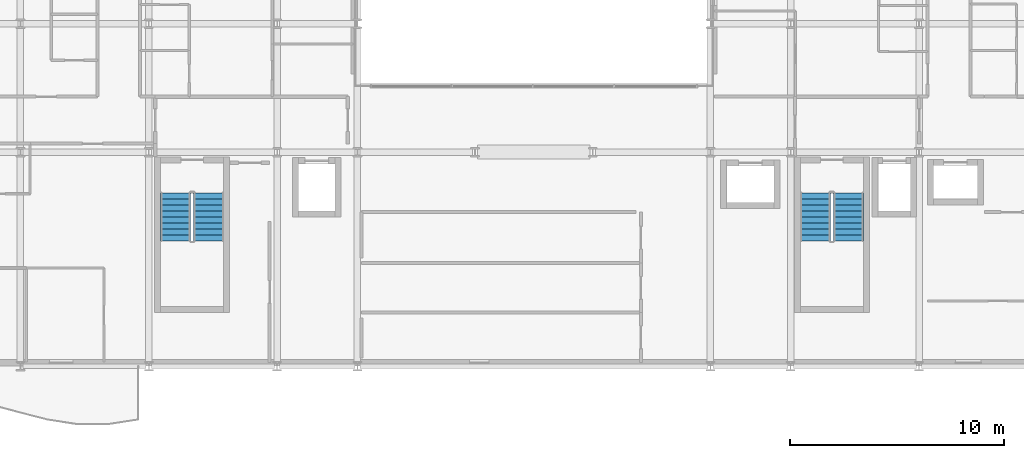
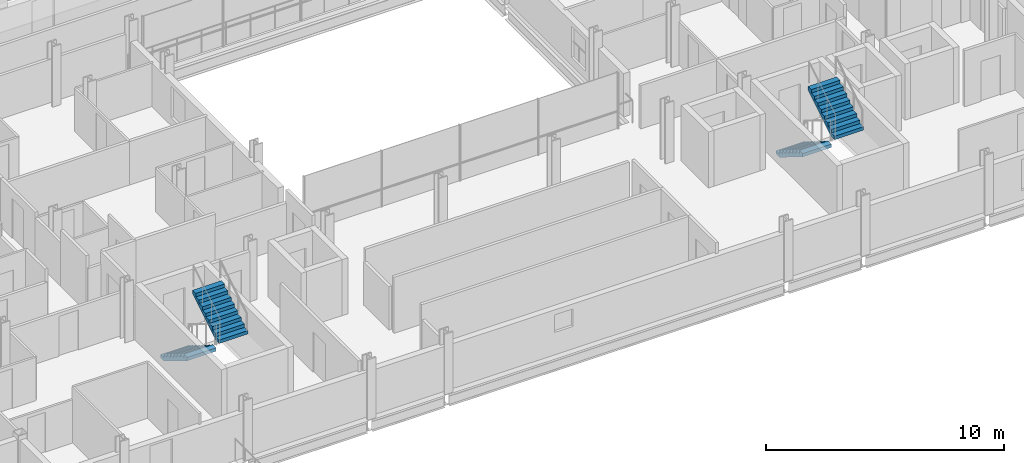
# One storey, part 37 of 41: 4 stair flights, 2 elements without a shape of their own.
"""IFC4 building model written with IfcOpenShell, lengths in metres."""

from ifc_helpers import new_model, si_unit, direction, frame, origin, place, context, subcontext, project, spatial, polyline, outline, extrude, material, layer, layer_set, type_object, element, aggregate, save


model = new_model("IFC4")

# Units and contexts
model_context = context("Model", 3, precision=1e-05, world=origin(), true_north=direction((0.0, 1.0)))
body_context = subcontext(model_context, "Body", "Model", "MODEL_VIEW")
ifc_project = project(units=[si_unit("LENGTHUNIT", "METRE"), si_unit("AREAUNIT", "SQUARE_METRE"), si_unit("VOLUMEUNIT", "CUBIC_METRE"), si_unit("PLANEANGLEUNIT", "RADIAN"), si_unit("MASSUNIT", "GRAM", prefix="KILO")], contexts=[model_context])

# Site, building, storey
site_placement = place(None, origin())
site = spatial("IfcSite", under=ifc_project, at=site_placement, CompositionType="ELEMENT")
building_placement = place(site_placement, origin())
building = spatial("IfcBuilding", under=site, at=building_placement, Name="Brevholm Reach", CompositionType="ELEMENT")
storey_placement = place(building_placement, frame((0.0, 0.0, 86.89990234375)))
storey = spatial("IfcBuildingStorey", under=building, at=storey_placement, Name="L25", CompositionType="ELEMENT", Elevation=86.89990234375)

# Stair, stair flights
ifc_material_1 = material(Name="Precast Concrete C40/50", Category="concrete")
stair_type = type_object("IfcStairType", Name="STR-ESC-1400", PredefinedType="DOUBLE_RETURN_STAIR", material=ifc_material_1)
stair_1_placement = place(storey_placement, origin())
stair_1 = element("IfcStair", 1, at=stair_1_placement, inside=storey, type_object=stair_type, Name="L25 ST-1", PredefinedType="DOUBLE_RETURN_STAIR")
ifc_material_2 = material(Name="Precast Concrete C40/50", Category="concrete")
ifc_layer = layer(ifc_material_2, 0.18505859375)
ifc_layer_set = layer_set([ifc_layer], Name="Precast Concrete C40/50")
stair_flight_type = type_object("IfcStairFlightType", Name="STF-PRC-185", PredefinedType="STRAIGHT", material=ifc_layer_set)
stair_flight_1_placement = place(storey_placement, frame((13.25, 8.10009765625, 0.0), z_axis=(0.0, 0.0, 1.0), x_axis=(0.0, -1.0, 0.0)))
stair_flight_1 = element("IfcStairFlight", 2, at=stair_flight_1_placement, type_object=stair_flight_type, Name="ST-1 flight 1", NumberOfRisers=9, NumberOfTreads=8, PredefinedType="STRAIGHT", RiserHeight=0.172222222, TreadLength=0.28, context=body_context, shape_type="SweptSolid", body=[
    extrude(outline(polyline([(0.0, 0.0), (0.0, 0.172119140625), (0.280029296875, 0.172119140625), (0.280029296875, 0.344482421875), (0.56005859375, 0.344482421875), (0.56005859375, 0.5166015625), (0.840087890625, 0.5166015625), (0.840087890625, 0.68896484375), (1.1201171875, 0.68896484375), (1.1201171875, 0.861083984375), (1.39990234375, 0.861083984375), (1.39990234375, 1.033447265625), (1.679931640625, 1.033447265625), (1.679931640625, 1.20556640625), (1.9599609375, 1.20556640625), (1.9599609375, 1.377685546875), (2.239990234375, 1.377685546875), (2.239990234375, 1.550048828125), (2.239990234375, 1.201904296875), (0.2861328125, 0.0), (0.0, 0.0)])), frame((0.0, 0.699951171875, 0.0), z_axis=(0.0, -1.0, 0.0), x_axis=(1.0, 0.0, 0.0)), (0.0, 0.0, 1.0), 1.39990234375),
])
stair_flight_2_placement = place(storey_placement, frame((14.800048828125, 5.860107421875, 1.550048828125), z_axis=(0.0, 0.0, 1.0), x_axis=(0.0, 1.0, 0.0)))
stair_flight_2 = element("IfcStairFlight", 3, at=stair_flight_2_placement, type_object=stair_flight_type, Name="ST-1 flight 2", NumberOfRisers=9, NumberOfTreads=8, PredefinedType="STRAIGHT", RiserHeight=0.172222222, TreadLength=0.28, context=body_context, shape_type="SweptSolid", body=[
    extrude(outline(polyline([(0.0, 0.0), (0.0, 0.172119140625), (0.280029296875, 0.172119140625), (0.280029296875, 0.344482421875), (0.56005859375, 0.344482421875), (0.56005859375, 0.5166015625), (0.840087890625, 0.5166015625), (0.840087890625, 0.68896484375), (1.1201171875, 0.68896484375), (1.1201171875, 0.861083984375), (1.39990234375, 0.861083984375), (1.39990234375, 1.033447265625), (1.679931640625, 1.033447265625), (1.679931640625, 1.20556640625), (1.9599609375, 1.20556640625), (1.9599609375, 1.377685546875), (2.239990234375, 1.377685546875), (2.239990234375, 1.550048828125), (2.239990234375, 1.201904296875), (0.2861328125, 0.0), (0.0, 0.0)])), frame((0.0, 0.699951171875, 0.0), z_axis=(0.0, -1.0, 0.0), x_axis=(1.0, 0.0, 0.0)), (0.0, 0.0, 1.0), 1.39990234375),
])
aggregate(stair_1, [stair_flight_1, stair_flight_2])

stair_2_placement = place(storey_placement, origin())
stair_2 = element("IfcStair", 4, at=stair_2_placement, inside=storey, type_object=stair_type, Name="L25 ST-2", PredefinedType="DOUBLE_RETURN_STAIR")
stair_flight_3_placement = place(storey_placement, frame((43.14990234375, 8.10009765625, 0.0), z_axis=(0.0, 0.0, 1.0), x_axis=(0.0, -1.0, 0.0)))
stair_flight_3 = element("IfcStairFlight", 5, at=stair_flight_3_placement, type_object=stair_flight_type, Name="ST-2 flight 1", NumberOfRisers=9, NumberOfTreads=8, PredefinedType="STRAIGHT", RiserHeight=0.172222222, TreadLength=0.28, context=body_context, shape_type="SweptSolid", body=[
    extrude(outline(polyline([(0.0, 0.0), (0.0, 0.172119140625), (0.280029296875, 0.172119140625), (0.280029296875, 0.344482421875), (0.56005859375, 0.344482421875), (0.56005859375, 0.5166015625), (0.840087890625, 0.5166015625), (0.840087890625, 0.68896484375), (1.1201171875, 0.68896484375), (1.1201171875, 0.861083984375), (1.39990234375, 0.861083984375), (1.39990234375, 1.033447265625), (1.679931640625, 1.033447265625), (1.679931640625, 1.20556640625), (1.9599609375, 1.20556640625), (1.9599609375, 1.377685546875), (2.239990234375, 1.377685546875), (2.239990234375, 1.550048828125), (2.239990234375, 1.201904296875), (0.2861328125, 0.0), (0.0, 0.0)])), frame((0.0, 0.699951171875, 0.0), z_axis=(0.0, -1.0, 0.0), x_axis=(1.0, 0.0, 0.0)), (0.0, 0.0, 1.0), 1.39990234375),
])
stair_flight_4_placement = place(storey_placement, frame((44.699951171875, 5.860107421875, 1.550048828125), z_axis=(0.0, 0.0, 1.0), x_axis=(0.0, 1.0, 0.0)))
stair_flight_4 = element("IfcStairFlight", 6, at=stair_flight_4_placement, type_object=stair_flight_type, Name="ST-2 flight 2", NumberOfRisers=9, NumberOfTreads=8, PredefinedType="STRAIGHT", RiserHeight=0.172222222, TreadLength=0.28, context=body_context, shape_type="SweptSolid", body=[
    extrude(outline(polyline([(0.0, 0.0), (0.0, 0.172119140625), (0.280029296875, 0.172119140625), (0.280029296875, 0.344482421875), (0.56005859375, 0.344482421875), (0.56005859375, 0.5166015625), (0.840087890625, 0.5166015625), (0.840087890625, 0.68896484375), (1.1201171875, 0.68896484375), (1.1201171875, 0.861083984375), (1.39990234375, 0.861083984375), (1.39990234375, 1.033447265625), (1.679931640625, 1.033447265625), (1.679931640625, 1.20556640625), (1.9599609375, 1.20556640625), (1.9599609375, 1.377685546875), (2.239990234375, 1.377685546875), (2.239990234375, 1.550048828125), (2.239990234375, 1.201904296875), (0.2861328125, 0.0), (0.0, 0.0)])), frame((0.0, 0.699951171875, 0.0), z_axis=(0.0, -1.0, 0.0), x_axis=(1.0, 0.0, 0.0)), (0.0, 0.0, 1.0), 1.39990234375),
])
aggregate(stair_2, [stair_flight_3, stair_flight_4])

save(model, "model.ifc")
